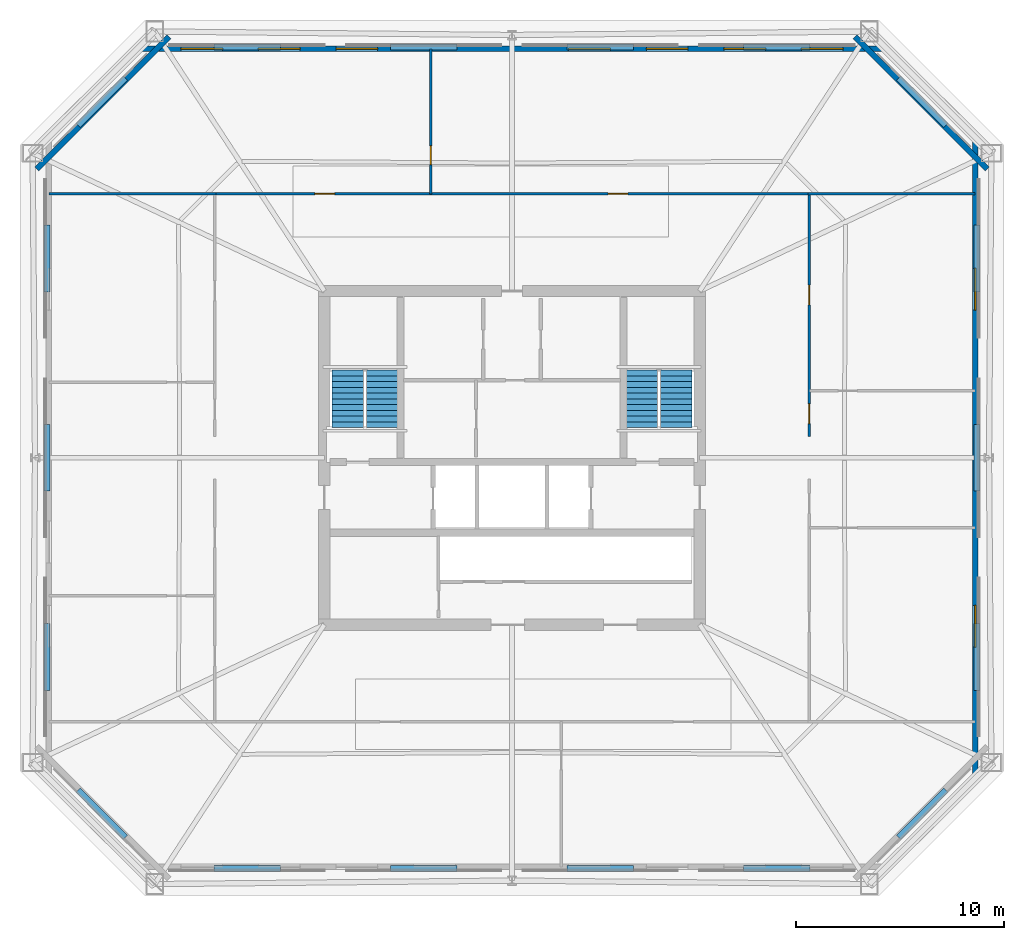
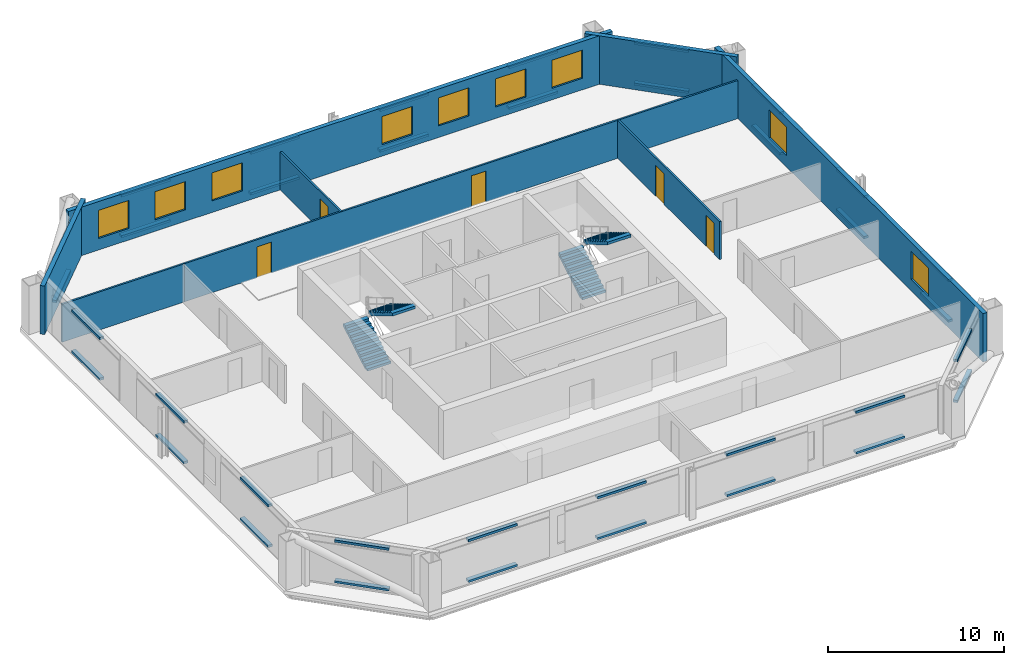
# One storey, part 4 of 6: 36 discrete accessories, 9 walls, 9 windows, 5 doors, 4 stair flights, 14 openings, 2 elements without a shape of their own.
"""IFC4 building model written with IfcOpenShell, lengths in metres."""

import ifcopenshell
import ifcopenshell.guid

model = None  # the IFC model being written
_history = None  # IfcOwnerHistory: only IFC2X3 demands one
_inside = {}  # id of a spatial element -> (the spatial element, [elements in it])
_under = {}  # id of a project, library or spatial element -> (it, [spatial elements below it])
_declared = {}  # id of a project -> (the project, [libraries it declares])
_typed = {}  # id of a type object -> (the type object, [elements of that type])
_made_of = {}  # id of a material, layer set ... -> (it, [elements and type objects made of it])


def new_model(schema):
    """Start an empty IFC model of exactly this schema.

    Asked for "IFC4X3", IfcOpenShell would pick the latest addendum, in which some entities
    have other attributes; the version numbers below select the first issue.
    IFC2X3 requires an IfcOwnerHistory on every rooted entity: one is made here for all.
    """
    global model, _history
    if schema == "IFC4X3":
        model = ifcopenshell.file(schema_version=(4, 3, 0, 0))
    else:
        model = ifcopenshell.file(schema=schema)
    _inside.clear()
    _under.clear()
    _declared.clear()
    _typed.clear()
    _made_of.clear()
    _history = None
    if model.schema == "IFC2X3":
        org = make("IfcOrganization", Name="unknown")
        user = make(
            "IfcPersonAndOrganization",
            ThePerson=make("IfcPerson", FamilyName="unknown"),
            TheOrganization=org,
        )
        app = make(
            "IfcApplication",
            ApplicationDeveloper=org,
            Version="unknown",
            ApplicationFullName="unknown",
            ApplicationIdentifier="unknown",
        )
        _history = make(
            "IfcOwnerHistory",
            OwningUser=user,
            OwningApplication=app,
            ChangeAction="ADDED",
            CreationDate=0,
        )
    return model


def make(cls, **values):
    """One entity of the class cls with the attributes given. An attribute that is None is left unset."""
    return model.create_entity(
        cls, **{name: value for name, value in values.items() if value is not None}
    )


def rooted(cls, **values):
    """An entity with a GlobalId (a new one), such as an element, a storey or a relation."""
    return make(cls, GlobalId=ifcopenshell.guid.new(), OwnerHistory=_history, **values)


def si_unit(unit_type, name, prefix=None):
    """IfcSIUnit, for example si_unit("LENGTHUNIT", "METRE", prefix="MILLI")."""
    return make("IfcSIUnit", UnitType=unit_type, Prefix=prefix, Name=name)


def assignment(units):
    """IfcUnitAssignment: the units of a project."""
    return None if units is None else make("IfcUnitAssignment", Units=units)


def point(xyz):
    """IfcCartesianPoint."""
    return None if xyz is None else make("IfcCartesianPoint", Coordinates=xyz)


def direction(xyz):
    """IfcDirection."""
    return None if xyz is None else make("IfcDirection", DirectionRatios=xyz)


def frame(location, z_axis=None, x_axis=None):
    """IfcAxis2Placement3D, a coordinate frame: its origin and axes. An axis left out is left unset."""
    return make(
        "IfcAxis2Placement3D",
        Location=point(location),
        Axis=direction(z_axis),
        RefDirection=direction(x_axis),
    )


def frame_2d(location, x_axis=None):
    """IfcAxis2Placement2D, a coordinate frame in the plane: its origin and x axis."""
    return make(
        "IfcAxis2Placement2D", Location=point(location), RefDirection=direction(x_axis)
    )


def origin():
    """The frame at (0, 0, 0) with its axes left unset."""
    return frame((0.0, 0.0, 0.0))


def origin_2d():
    """The frame at (0, 0) in the plane with its x axis left unset."""
    return frame_2d((0.0, 0.0))


def place(relative_to, where):
    """IfcLocalPlacement: puts the frame where relative to a parent placement (None: the world)."""
    return make(
        "IfcLocalPlacement", PlacementRelTo=relative_to, RelativePlacement=where
    )


def context(
    kind, dimensions, precision=None, world=None, true_north=None, identifier=None
):
    """IfcGeometricRepresentationContext, for example the 3D "Model" context."""
    return make(
        "IfcGeometricRepresentationContext",
        ContextIdentifier=identifier,
        ContextType=kind,
        CoordinateSpaceDimension=dimensions,
        Precision=precision,
        WorldCoordinateSystem=world,
        TrueNorth=true_north,
    )


def subcontext(parent, identifier, kind, view, scale=None):
    """IfcGeometricRepresentationSubContext, for example "Body" below "Model"."""
    return make(
        "IfcGeometricRepresentationSubContext",
        ContextIdentifier=identifier,
        ContextType=kind,
        ParentContext=parent,
        TargetScale=scale,
        TargetView=view,
    )


def project(units=None, contexts=None):
    """IfcProject with its units and contexts."""
    return rooted(
        "IfcProject",
        Name="project",
        RepresentationContexts=contexts,
        UnitsInContext=assignment(units),
    )


def spatial(cls, under=None, at=None, **own):
    """A site, building, storey or space (cls), placed at a placement, below another one or the project."""
    s = rooted(cls, ObjectPlacement=at, **own)
    if under is not None:
        _under.setdefault(under.id(), (under, []))[1].append(s)
    return s


def polyline(points):
    """IfcPolyline through the points."""
    return make("IfcPolyline", Points=[point(p) for p in points])


def profile(cls, at=None, kind="AREA", **sizes):
    """A parametric profile (cls). Its sizes go by their IFC names, for example OverallWidth=200.0."""
    return make(cls, ProfileType=kind, Position=at, **sizes)


def rectangle(**sizes):
    """IfcRectangleProfileDef."""
    return profile("IfcRectangleProfileDef", **sizes)


def outline(outer, holes=None, kind="AREA"):
    """IfcArbitraryClosedProfileDef: a profile drawn as a closed curve; with holes, ...WithVoids."""
    if holes is None:
        return make("IfcArbitraryClosedProfileDef", ProfileType=kind, OuterCurve=outer)
    return make(
        "IfcArbitraryProfileDefWithVoids",
        ProfileType=kind,
        OuterCurve=outer,
        InnerCurves=holes,
    )


def extrude(swept, where, along, depth):
    """IfcExtrudedAreaSolid: the profile swept, set in the frame where, extruded along a direction by depth."""
    return make(
        "IfcExtrudedAreaSolid",
        SweptArea=swept,
        Position=where,
        ExtrudedDirection=direction(along),
        Depth=depth,
    )


def shape(context_of_items, identifier, shape_type, items):
    """IfcShapeRepresentation: the items that make up one representation, for example the "Body"."""
    return make(
        "IfcShapeRepresentation",
        ContextOfItems=context_of_items,
        RepresentationIdentifier=identifier,
        RepresentationType=shape_type,
        Items=items,
    )


def material(Name=None, Category=None):
    """IfcMaterial."""
    return make("IfcMaterial", Name=Name, Category=Category)


def layer(
    of_material, thickness, ventilated=None, Name=None, Category=None, Priority=None
):
    """IfcMaterialLayer: one layer of a wall or slab, of a material (None: an air gap)."""
    return make(
        "IfcMaterialLayer",
        Material=of_material,
        LayerThickness=thickness,
        IsVentilated=ventilated,
        Name=Name,
        Category=Category,
        Priority=Priority,
    )


def layer_set(layers, Name=None):
    """IfcMaterialLayerSet."""
    return make("IfcMaterialLayerSet", MaterialLayers=layers, LayerSetName=Name)


def made_of(thing, what):
    """Note that an element or type object is made of a material, layer set ...; save() writes the relation."""
    if what is not None:
        _made_of.setdefault(what.id(), (what, []))[1].append(thing)
    return thing


def type_object(cls, material=None, **own):
    """A type object (cls), such as IfcWallType, which elements share."""
    return made_of(rooted(cls, **own), material)


def element(
    cls,
    number,
    at=None,
    inside=None,
    cuts=None,
    type_object=None,
    material=None,
    context=None,
    identifier="Body",
    shape_type=None,
    held_by="IfcProductDefinitionShape",
    body=None,
    shapes=None,
    **own,
):
    """One element of the class cls, such as IfcWall. Its Tag is "e" and its number.

    at: its placement. inside: the storey or other place that contains it. cuts: it is an
    opening in that element (IfcRelVoidsElement). A single representation is given by context,
    identifier, shape_type and body (its items); several are given by shapes. held_by: the class
    of the entity that holds the representations. save() writes the other relations.
    """
    e = rooted(cls, Tag="e%d" % number, ObjectPlacement=at, **own)
    if body is not None:
        shapes = [shape(context, identifier, shape_type, body)]
    if shapes is not None:
        e.Representation = make(held_by, Representations=shapes)
    if inside is not None:
        _inside.setdefault(inside.id(), (inside, []))[1].append(e)
    if cuts is not None:
        rooted(
            "IfcRelVoidsElement", RelatingBuildingElement=cuts, RelatedOpeningElement=e
        )
    if type_object is not None:
        _typed.setdefault(type_object.id(), (type_object, []))[1].append(e)
    return made_of(e, material)


def fill(opening, filler):
    """IfcRelFillsElement: the door or window that sits in an opening."""
    return rooted(
        "IfcRelFillsElement",
        RelatingOpeningElement=opening,
        RelatedBuildingElement=filler,
    )


def aggregate(whole, parts):
    """IfcRelAggregates: a whole, such as a stair, and the parts it consists of."""
    return rooted("IfcRelAggregates", RelatingObject=whole, RelatedObjects=parts)


def save(model, path):
    """Write the relations noted so far, then the file.

    IfcRelAggregates (storeys below a building ...), IfcRelContainedInSpatialStructure (elements
    in a storey), IfcRelDefinesByType, IfcRelAssociatesMaterial and IfcRelDeclares: one each for
    every whole, place, type object, material and project.
    """
    for whole, parts in _under.values():
        aggregate(whole, parts)
    for where, things in _inside.values():
        rooted(
            "IfcRelContainedInSpatialStructure",
            RelatedElements=things,
            RelatingStructure=where,
        )
    for kind, things in _typed.values():
        rooted("IfcRelDefinesByType", RelatedObjects=things, RelatingType=kind)
    for what, things in _made_of.values():
        rooted("IfcRelAssociatesMaterial", RelatedObjects=things, RelatingMaterial=what)
    for by, libraries in _declared.values():
        rooted("IfcRelDeclares", RelatingContext=by, RelatedDefinitions=libraries)
    model.write(path)


model = new_model("IFC4")

# Units and contexts
model_context = context("Model", 3, precision=1e-05, world=origin(), true_north=direction((0.0, 1.0)))
body_context = subcontext(model_context, "Body", "Model", "MODEL_VIEW")
ifc_project = project(units=[si_unit("LENGTHUNIT", "METRE"), si_unit("AREAUNIT", "SQUARE_METRE"), si_unit("VOLUMEUNIT", "CUBIC_METRE"), si_unit("PLANEANGLEUNIT", "RADIAN"), si_unit("MASSUNIT", "GRAM", prefix="KILO")], contexts=[model_context])

# Site, building, storey
site_placement = place(None, origin())
site = spatial("IfcSite", under=ifc_project, at=site_placement, CompositionType="ELEMENT")
building_placement = place(site_placement, origin())
building = spatial("IfcBuilding", under=site, at=building_placement, Name="Caelvoria Tower", CompositionType="ELEMENT")
storey_placement = place(building_placement, frame((0.0, 0.0, 120.39990234375)))
storey = spatial("IfcBuildingStorey", under=building, at=storey_placement, Name="L31", CompositionType="ELEMENT", Elevation=120.39990234375)

# Wall, openings, windows
ifc_material_1 = material(Name="Precast Concrete C40/50 with Bronze Cladding", Category="concrete")
ifc_layer_1 = layer(ifc_material_1, 0.280029296875, Name="Precast Concrete C40/50 with Bronze Cladding")
ifc_layer_set_1 = layer_set([ifc_layer_1], Name="Exterior Precast Concrete C40/50 Bronze-Clad Facade Wall 280 - Precast Concrete C40/50 with Bronze Cladding")
wall_type_1 = type_object("IfcWallType", Name="Exterior Precast Concrete C40/50 Bronze-Clad Facade Wall 280", PredefinedType="STANDARD", material=ifc_layer_set_1)
wall_1_placement = place(storey_placement, frame((68.219970703125, 16.760009765625, 0.0), z_axis=(0.0, 0.0, 1.0), x_axis=(0.0, 1.0, 0.0)))
wall_1 = element("IfcWall", 1, at=wall_1_placement, inside=storey, type_object=wall_type_1, Name="Exterior Facade Wall L31-E2", PredefinedType="STANDARD", context=body_context, shape_type="SweptSolid", body=[
    extrude(rectangle(XDim=30.47998046875, YDim=0.280029296875, at=frame_2d((15.239990234375, 0.0))), origin(), (0.0, 0.0, 1.0), 3.360107421875),
])
opening_1_placement = place(wall_1_placement, frame((6.159912109375, 0.0, 0.800048828125)))
opening_1 = element("IfcOpeningElement", 2, at=opening_1_placement, cuts=wall_1, Name="Opening WN-01", PredefinedType="OPENING", context=body_context, shape_type="SweptSolid", body=[
    extrude(rectangle(XDim=2.0, YDim=1.949951171875, at=frame_2d((1.0, 0.97509765625))), frame((0.0, 0.14990234375, 0.0), z_axis=(0.0, -1.0, 0.0), x_axis=(1.0, 0.0, 0.0)), (0.0, 0.0, 1.0), 0.300048828125),
])
opening_2_placement = place(wall_1_placement, frame((22.320068359375, 0.0, 0.800048828125)))
opening_2 = element("IfcOpeningElement", 3, at=opening_2_placement, cuts=wall_1, Name="Opening WN-01", PredefinedType="OPENING", context=body_context, shape_type="SweptSolid", body=[
    extrude(rectangle(XDim=2.0, YDim=1.949951171875, at=frame_2d((1.0, 0.97509765625))), frame((0.0, 0.14990234375, 0.0), z_axis=(0.0, -1.0, 0.0), x_axis=(1.0, 0.0, 0.0)), (0.0, 0.0, 1.0), 0.300048828125),
])
ifc_material_2 = material(Name="Low-E Tinted Glass in Bronze Aluminium Frame", Category="aluminium")
window_type = type_object("IfcWindowType", Name="Tower Office Vision Window 2000x1950", PartitioningType="SINGLE_PANEL", PredefinedType="WINDOW", material=ifc_material_2)
window_1_placement = place(opening_1_placement, origin())
window_1 = element("IfcWindow", 4, at=window_1_placement, inside=storey, type_object=window_type, Name="Facade Window L31-E2-01", OverallHeight=1.949951171875, OverallWidth=2.0, PartitioningType="SINGLE_PANEL", PredefinedType="WINDOW", context=body_context, shape_type="SweptSolid", body=[
    extrude(rectangle(XDim=2.0, YDim=1.949951171875, at=frame_2d((1.0, 0.97509765625))), frame((0.0, 0.030029296875, 0.0), z_axis=(0.0, -1.0, 0.0), x_axis=(1.0, 0.0, 0.0)), (0.0, 0.0, 1.0), 0.06005859375),
])
fill(opening_1, window_1)
window_2_placement = place(opening_2_placement, origin())
window_2 = element("IfcWindow", 5, at=window_2_placement, inside=storey, type_object=window_type, Name="Facade Window L31-E2-05", OverallHeight=1.949951171875, OverallWidth=2.0, PartitioningType="SINGLE_PANEL", PredefinedType="WINDOW", context=body_context, shape_type="SweptSolid", body=[
    extrude(rectangle(XDim=2.0, YDim=1.949951171875, at=frame_2d((1.0, 0.97509765625))), frame((0.0, 0.030029296875, 0.0), z_axis=(0.0, -1.0, 0.0), x_axis=(1.0, 0.0, 0.0)), (0.0, 0.0, 1.0), 0.06005859375),
])
fill(opening_2, window_2)

# Wall
wall_2_placement = place(storey_placement, frame((68.7939453125, 45.8544921875, 0.0), z_axis=(0.0, 0.0, 1.0), x_axis=(-0.707106781187, 0.707106781187, 0.0)))
element("IfcWall", 6, at=wall_2_placement, inside=storey, type_object=wall_type_1, Name="Exterior Facade Wall L31-E3", PredefinedType="STANDARD", context=body_context, shape_type="SweptSolid", body=[
    extrude(rectangle(XDim=8.965087890625, YDim=0.280029296875, at=frame_2d((4.482421875, 0.0))), origin(), (0.0, 0.0, 1.0), 3.360107421875),
])

# Wall, openings, windows
wall_3_placement = place(storey_placement, frame((63.840087890625, 51.6201171875, 0.0), z_axis=(0.0, 0.0, 1.0), x_axis=(-1.0, 0.0, 0.0)))
wall_3 = element("IfcWall", 7, at=wall_3_placement, inside=storey, type_object=wall_type_1, Name="Exterior Facade Wall L31-E4", PredefinedType="STANDARD", context=body_context, shape_type="SweptSolid", body=[
    extrude(rectangle(XDim=35.68017578125, YDim=0.280029296875, at=frame_2d((17.840087890625, 0.0))), origin(), (0.0, 0.0, 1.0), 3.360107421875),
])
opening_3_placement = place(wall_3_placement, frame((1.9599609375, 0.0, 0.800048828125)))
opening_3 = element("IfcOpeningElement", 8, at=opening_3_placement, cuts=wall_3, Name="Opening WN-01", PredefinedType="OPENING", context=body_context, shape_type="SweptSolid", body=[
    extrude(rectangle(XDim=2.0, YDim=1.949951171875, at=frame_2d((1.0, 0.97509765625))), frame((0.0, 0.14990234375, 0.0), z_axis=(0.0, -1.0, 0.0), x_axis=(1.0, 0.0, 0.0)), (0.0, 0.0, 1.0), 0.300048828125),
])
opening_4_placement = place(wall_3_placement, frame((5.679931640625, 0.0, 0.800048828125)))
opening_4 = element("IfcOpeningElement", 9, at=opening_4_placement, cuts=wall_3, Name="Opening WN-01", PredefinedType="OPENING", context=body_context, shape_type="SweptSolid", body=[
    extrude(rectangle(XDim=2.0, YDim=1.949951171875, at=frame_2d((1.0, 0.97509765625))), frame((0.0, 0.14990234375, 0.0), z_axis=(0.0, -1.0, 0.0), x_axis=(1.0, 0.0, 0.0)), (0.0, 0.0, 1.0), 0.300048828125),
])
opening_5_placement = place(wall_3_placement, frame((9.39990234375, 0.0, 0.800048828125)))
opening_5 = element("IfcOpeningElement", 10, at=opening_5_placement, cuts=wall_3, Name="Opening WN-01", PredefinedType="OPENING", context=body_context, shape_type="SweptSolid", body=[
    extrude(rectangle(XDim=2.0, YDim=1.949951171875, at=frame_2d((1.0, 0.97509765625))), frame((0.0, 0.14990234375, 0.0), z_axis=(0.0, -1.0, 0.0), x_axis=(1.0, 0.0, 0.0)), (0.0, 0.0, 1.0), 0.300048828125),
])
opening_6_placement = place(wall_3_placement, frame((13.1201171875, 0.0, 0.800048828125)))
opening_6 = element("IfcOpeningElement", 11, at=opening_6_placement, cuts=wall_3, Name="Opening WN-01", PredefinedType="OPENING", context=body_context, shape_type="SweptSolid", body=[
    extrude(rectangle(XDim=2.0, YDim=1.949951171875, at=frame_2d((1.0, 0.97509765625))), frame((0.0, 0.14990234375, 0.0), z_axis=(0.0, -1.0, 0.0), x_axis=(1.0, 0.0, 0.0)), (0.0, 0.0, 1.0), 0.300048828125),
])
opening_7_placement = place(wall_3_placement, frame((24.280029296875, 0.0, 0.800048828125)))
opening_7 = element("IfcOpeningElement", 12, at=opening_7_placement, cuts=wall_3, Name="Opening WN-01", PredefinedType="OPENING", context=body_context, shape_type="SweptSolid", body=[
    extrude(rectangle(XDim=2.0, YDim=1.949951171875, at=frame_2d((1.0, 0.97509765625))), frame((0.0, 0.14990234375, 0.0), z_axis=(0.0, -1.0, 0.0), x_axis=(1.0, 0.0, 0.0)), (0.0, 0.0, 1.0), 0.300048828125),
])
opening_8_placement = place(wall_3_placement, frame((28.0, 0.0, 0.800048828125)))
opening_8 = element("IfcOpeningElement", 13, at=opening_8_placement, cuts=wall_3, Name="Opening WN-01", PredefinedType="OPENING", context=body_context, shape_type="SweptSolid", body=[
    extrude(rectangle(XDim=2.0, YDim=1.949951171875, at=frame_2d((1.0, 0.97509765625))), frame((0.0, 0.14990234375, 0.0), z_axis=(0.0, -1.0, 0.0), x_axis=(1.0, 0.0, 0.0)), (0.0, 0.0, 1.0), 0.300048828125),
])
opening_9_placement = place(wall_3_placement, frame((31.719970703125, 0.0, 0.800048828125)))
opening_9 = element("IfcOpeningElement", 14, at=opening_9_placement, cuts=wall_3, Name="Opening WN-01", PredefinedType="OPENING", context=body_context, shape_type="SweptSolid", body=[
    extrude(rectangle(XDim=2.0, YDim=1.949951171875, at=frame_2d((1.0, 0.97509765625))), frame((0.0, 0.14990234375, 0.0), z_axis=(0.0, -1.0, 0.0), x_axis=(1.0, 0.0, 0.0)), (0.0, 0.0, 1.0), 0.300048828125),
])
window_3_placement = place(opening_3_placement, origin())
window_3 = element("IfcWindow", 15, at=window_3_placement, inside=storey, type_object=window_type, Name="Facade Window L31-E4-00", OverallHeight=1.949951171875, OverallWidth=2.0, PartitioningType="SINGLE_PANEL", PredefinedType="WINDOW", context=body_context, shape_type="SweptSolid", body=[
    extrude(rectangle(XDim=2.0, YDim=1.949951171875, at=frame_2d((1.0, 0.97509765625))), frame((0.0, 0.030029296875, 0.0), z_axis=(0.0, -1.0, 0.0), x_axis=(1.0, 0.0, 0.0)), (0.0, 0.0, 1.0), 0.06005859375),
])
fill(opening_3, window_3)
window_4_placement = place(opening_4_placement, origin())
window_4 = element("IfcWindow", 16, at=window_4_placement, inside=storey, type_object=window_type, Name="Facade Window L31-E4-01", OverallHeight=1.949951171875, OverallWidth=2.0, PartitioningType="SINGLE_PANEL", PredefinedType="WINDOW", context=body_context, shape_type="SweptSolid", body=[
    extrude(rectangle(XDim=2.0, YDim=1.949951171875, at=frame_2d((1.0, 0.97509765625))), frame((0.0, 0.030029296875, 0.0), z_axis=(0.0, -1.0, 0.0), x_axis=(1.0, 0.0, 0.0)), (0.0, 0.0, 1.0), 0.06005859375),
])
fill(opening_4, window_4)
window_5_placement = place(opening_5_placement, origin())
window_5 = element("IfcWindow", 17, at=window_5_placement, inside=storey, type_object=window_type, Name="Facade Window L31-E4-02", OverallHeight=1.949951171875, OverallWidth=2.0, PartitioningType="SINGLE_PANEL", PredefinedType="WINDOW", context=body_context, shape_type="SweptSolid", body=[
    extrude(rectangle(XDim=2.0, YDim=1.949951171875, at=frame_2d((1.0, 0.97509765625))), frame((0.0, 0.030029296875, 0.0), z_axis=(0.0, -1.0, 0.0), x_axis=(1.0, 0.0, 0.0)), (0.0, 0.0, 1.0), 0.06005859375),
])
fill(opening_5, window_5)
window_6_placement = place(opening_6_placement, origin())
window_6 = element("IfcWindow", 18, at=window_6_placement, inside=storey, type_object=window_type, Name="Facade Window L31-E4-03", OverallHeight=1.949951171875, OverallWidth=2.0, PartitioningType="SINGLE_PANEL", PredefinedType="WINDOW", context=body_context, shape_type="SweptSolid", body=[
    extrude(rectangle(XDim=2.0, YDim=1.949951171875, at=frame_2d((1.0, 0.97509765625))), frame((0.0, 0.030029296875, 0.0), z_axis=(0.0, -1.0, 0.0), x_axis=(1.0, 0.0, 0.0)), (0.0, 0.0, 1.0), 0.06005859375),
])
fill(opening_6, window_6)
window_7_placement = place(opening_7_placement, origin())
window_7 = element("IfcWindow", 19, at=window_7_placement, inside=storey, type_object=window_type, Name="Facade Window L31-E4-06", OverallHeight=1.949951171875, OverallWidth=2.0, PartitioningType="SINGLE_PANEL", PredefinedType="WINDOW", context=body_context, shape_type="SweptSolid", body=[
    extrude(rectangle(XDim=2.0, YDim=1.949951171875, at=frame_2d((1.0, 0.97509765625))), frame((0.0, 0.030029296875, 0.0), z_axis=(0.0, -1.0, 0.0), x_axis=(1.0, 0.0, 0.0)), (0.0, 0.0, 1.0), 0.06005859375),
])
fill(opening_7, window_7)
window_8_placement = place(opening_8_placement, origin())
window_8 = element("IfcWindow", 20, at=window_8_placement, inside=storey, type_object=window_type, Name="Facade Window L31-E4-07", OverallHeight=1.949951171875, OverallWidth=2.0, PartitioningType="SINGLE_PANEL", PredefinedType="WINDOW", context=body_context, shape_type="SweptSolid", body=[
    extrude(rectangle(XDim=2.0, YDim=1.949951171875, at=frame_2d((1.0, 0.97509765625))), frame((0.0, 0.030029296875, 0.0), z_axis=(0.0, -1.0, 0.0), x_axis=(1.0, 0.0, 0.0)), (0.0, 0.0, 1.0), 0.06005859375),
])
fill(opening_8, window_8)
window_9_placement = place(opening_9_placement, origin())
window_9 = element("IfcWindow", 21, at=window_9_placement, inside=storey, type_object=window_type, Name="Facade Window L31-E4-08", OverallHeight=1.949951171875, OverallWidth=2.0, PartitioningType="SINGLE_PANEL", PredefinedType="WINDOW", context=body_context, shape_type="SweptSolid", body=[
    extrude(rectangle(XDim=2.0, YDim=1.949951171875, at=frame_2d((1.0, 0.97509765625))), frame((0.0, 0.030029296875, 0.0), z_axis=(0.0, -1.0, 0.0), x_axis=(1.0, 0.0, 0.0)), (0.0, 0.0, 1.0), 0.06005859375),
])
fill(opening_9, window_9)

# Wall
wall_4_placement = place(storey_placement, frame((29.54541015625, 52.19384765625, 0.0), z_axis=(0.0, 0.0, 1.0), x_axis=(-0.707106781187, -0.707106781187, 0.0)))
element("IfcWall", 22, at=wall_4_placement, inside=storey, type_object=wall_type_1, Name="Exterior Facade Wall L31-E5", PredefinedType="STANDARD", context=body_context, shape_type="SweptSolid", body=[
    extrude(rectangle(XDim=8.965087890625, YDim=0.280029296875, at=frame_2d((4.482421875, 0.0))), origin(), (0.0, 0.0, 1.0), 3.360107421875),
])

# Wall, opening, door
ifc_material_3 = material(Name="Acoustic Gypsum Board on Light-Gauge Stud", Category="gypsum")
ifc_layer_2 = layer(ifc_material_3, 0.1201171875, Name="Acoustic Gypsum Board on Light-Gauge Stud")
ifc_layer_set_2 = layer_set([ifc_layer_2], Name="Tenant Suite Acoustic Partition Wall 120 - Acoustic Gypsum Board on Light-Gauge Stud")
wall_type_2 = type_object("IfcWallType", Name="Tenant Suite Acoustic Partition Wall 120", PredefinedType="PARTITIONING", material=ifc_layer_set_2)
wall_5_placement = place(storey_placement, frame((42.103515625, 44.659912109375, 0.0), z_axis=(0.0, 0.0, 1.0), x_axis=(0.0, 1.0, 0.0)))
wall_5 = element("IfcWall", 23, at=wall_5_placement, inside=storey, type_object=wall_type_2, Name="Interior Partition IW-L31-ND-00-0", PredefinedType="PARTITIONING", context=body_context, shape_type="SweptSolid", body=[
    extrude(rectangle(XDim=6.960205078125, YDim=0.1201171875, at=frame_2d((3.47998046875, 0.0))), origin(), (0.0, 0.0, 1.0), 2.64013671875),
])
opening_10_placement = place(wall_5_placement, frame((1.39990234375, 0.0, 0.0)))
opening_10 = element("IfcOpeningElement", 24, at=opening_10_placement, cuts=wall_5, Name="Opening ID-06", PredefinedType="OPENING", context=body_context, shape_type="SweptSolid", body=[
    extrude(rectangle(XDim=0.89990234375, YDim=2.14990234375, at=frame_2d((0.449951171875, 1.074951171875))), frame((0.0, 0.070068359375, 0.0), z_axis=(0.0, -1.0, 0.0), x_axis=(1.0, 0.0, 0.0)), (0.0, 0.0, 1.0), 0.14013671875),
])
ifc_material_4 = material(Name="Engineered Andean Oak Veneer Door", Category="wood")
door_type_1 = type_object("IfcDoorType", Name="Interior Timber Door 900x2150", OperationType="NOTDEFINED", PredefinedType="DOOR", material=ifc_material_4)
door_1_placement = place(opening_10_placement, origin())
door_1 = element("IfcDoor", 25, at=door_1_placement, inside=storey, type_object=door_type_1, Name="Interior Door DR-L31-NM-00-0", OperationType="SINGLE_SWING_RIGHT", OverallHeight=2.14990234375, OverallWidth=0.89990234375, PredefinedType="DOOR", context=body_context, shape_type="SweptSolid", body=[
    extrude(rectangle(XDim=0.89990234375, YDim=2.14990234375, at=frame_2d((0.449951171875, 1.074951171875))), frame((0.0, 0.02490234375, 0.0), z_axis=(0.0, -1.0, 0.0), x_axis=(1.0, 0.0, 0.0)), (0.0, 0.0, 1.0), 0.050048828125),
])
fill(opening_10, door_1)

# Wall, openings, doors
wall_6_placement = place(storey_placement, frame((31.800048828125, 44.659912109375, 0.0), z_axis=(0.0, 0.0, 1.0), x_axis=(1.0, 0.0, 0.0)))
wall_6 = element("IfcWall", 26, at=wall_6_placement, inside=storey, type_object=wall_type_2, Name="Interior Partition IW-L31-NCW-0", PredefinedType="PARTITIONING", context=body_context, shape_type="SweptSolid", body=[
    extrude(rectangle(XDim=28.39990234375, YDim=0.1201171875, at=frame_2d((14.199951171875, 0.0))), origin(), (0.0, 0.0, 1.0), 2.64013671875),
])
opening_11_placement = place(wall_6_placement, frame((4.74658203125, 0.0, 0.0)))
opening_11 = element("IfcOpeningElement", 27, at=opening_11_placement, cuts=wall_6, Name="Opening ID-05", PredefinedType="OPENING", context=body_context, shape_type="SweptSolid", body=[
    extrude(rectangle(XDim=0.949951171875, YDim=2.14990234375, at=frame_2d((0.47509765625, 1.074951171875))), frame((0.0, 0.070068359375, 0.0), z_axis=(0.0, -1.0, 0.0), x_axis=(1.0, 0.0, 0.0)), (0.0, 0.0, 1.0), 0.14013671875),
])
opening_12_placement = place(wall_6_placement, frame((18.806640625, 0.0, 0.0)))
opening_12 = element("IfcOpeningElement", 28, at=opening_12_placement, cuts=wall_6, Name="Opening ID-05", PredefinedType="OPENING", context=body_context, shape_type="SweptSolid", body=[
    extrude(rectangle(XDim=0.949951171875, YDim=2.14990234375, at=frame_2d((0.47509765625, 1.074951171875))), frame((0.0, 0.070068359375, 0.0), z_axis=(0.0, -1.0, 0.0), x_axis=(1.0, 0.0, 0.0)), (0.0, 0.0, 1.0), 0.14013671875),
])
door_type_2 = type_object("IfcDoorType", Name="Interior Timber Door 950x2150", OperationType="NOTDEFINED", PredefinedType="DOOR", material=ifc_material_4)
door_2_placement = place(opening_11_placement, origin())
door_2 = element("IfcDoor", 29, at=door_2_placement, inside=storey, type_object=door_type_2, Name="Interior Door DR-L31-NC-00-0", OperationType="SINGLE_SWING_RIGHT", OverallHeight=2.14990234375, OverallWidth=0.949951171875, PredefinedType="DOOR", context=body_context, shape_type="SweptSolid", body=[
    extrude(rectangle(XDim=0.949951171875, YDim=2.14990234375, at=frame_2d((0.47509765625, 1.074951171875))), frame((0.0, 0.02490234375, 0.0), z_axis=(0.0, -1.0, 0.0), x_axis=(1.0, 0.0, 0.0)), (0.0, 0.0, 1.0), 0.050048828125),
])
fill(opening_11, door_2)
door_3_placement = place(opening_12_placement, origin())
door_3 = element("IfcDoor", 30, at=door_3_placement, inside=storey, type_object=door_type_2, Name="Interior Door DR-L31-NC-01-0", OperationType="SINGLE_SWING_LEFT", OverallHeight=2.14990234375, OverallWidth=0.949951171875, PredefinedType="DOOR", context=body_context, shape_type="SweptSolid", body=[
    extrude(rectangle(XDim=0.949951171875, YDim=2.14990234375, at=frame_2d((0.47509765625, 1.074951171875))), frame((0.0, 0.02490234375, 0.0), z_axis=(0.0, -1.0, 0.0), x_axis=(1.0, 0.0, 0.0)), (0.0, 0.0, 1.0), 0.050048828125),
])
fill(opening_12, door_3)

wall_7_placement = place(storey_placement, frame((60.260009765625, 33.02001953125, 0.0), z_axis=(0.0, 0.0, 1.0), x_axis=(0.0, 1.0, 0.0)))
wall_7 = element("IfcWall", 31, at=wall_7_placement, inside=storey, type_object=wall_type_2, Name="Interior Partition IW-L31-ECW-1", PredefinedType="PARTITIONING", context=body_context, shape_type="SweptSolid", body=[
    extrude(rectangle(XDim=11.580078125, YDim=0.1201171875, at=frame_2d((5.7900390625, 0.0))), origin(), (0.0, 0.0, 1.0), 2.64013671875),
])
opening_13_placement = place(wall_7_placement, frame((0.619873046875, 0.0, 0.0)))
opening_13 = element("IfcOpeningElement", 32, at=opening_13_placement, cuts=wall_7, Name="Opening ID-05", PredefinedType="OPENING", context=body_context, shape_type="SweptSolid", body=[
    extrude(rectangle(XDim=0.949951171875, YDim=2.14990234375, at=frame_2d((0.47509765625, 1.074951171875))), frame((0.0, 0.070068359375, 0.0), z_axis=(0.0, -1.0, 0.0), x_axis=(1.0, 0.0, 0.0)), (0.0, 0.0, 1.0), 0.14013671875),
])
opening_14_placement = place(wall_7_placement, frame((6.309814453125, 0.0, 0.0)))
opening_14 = element("IfcOpeningElement", 33, at=opening_14_placement, cuts=wall_7, Name="Opening ID-05", PredefinedType="OPENING", context=body_context, shape_type="SweptSolid", body=[
    extrude(rectangle(XDim=0.949951171875, YDim=2.14990234375, at=frame_2d((0.47509765625, 1.074951171875))), frame((0.0, 0.070068359375, 0.0), z_axis=(0.0, -1.0, 0.0), x_axis=(1.0, 0.0, 0.0)), (0.0, 0.0, 1.0), 0.14013671875),
])
door_4_placement = place(opening_13_placement, origin())
door_4 = element("IfcDoor", 34, at=door_4_placement, inside=storey, type_object=door_type_2, Name="Interior Door DR-L31-EC-01-0", OperationType="SINGLE_SWING_LEFT", OverallHeight=2.14990234375, OverallWidth=0.949951171875, PredefinedType="DOOR", context=body_context, shape_type="SweptSolid", body=[
    extrude(rectangle(XDim=0.949951171875, YDim=2.14990234375, at=frame_2d((0.47509765625, 1.074951171875))), frame((0.0, 0.02490234375, 0.0), z_axis=(0.0, -1.0, 0.0), x_axis=(1.0, 0.0, 0.0)), (0.0, 0.0, 1.0), 0.050048828125),
])
fill(opening_13, door_4)
door_5_placement = place(opening_14_placement, origin())
door_5 = element("IfcDoor", 35, at=door_5_placement, inside=storey, type_object=door_type_2, Name="Interior Door DR-L31-EC-02-0", OperationType="SINGLE_SWING_RIGHT", OverallHeight=2.14990234375, OverallWidth=0.949951171875, PredefinedType="DOOR", context=body_context, shape_type="SweptSolid", body=[
    extrude(rectangle(XDim=0.949951171875, YDim=2.14990234375, at=frame_2d((0.47509765625, 1.074951171875))), frame((0.0, 0.02490234375, 0.0), z_axis=(0.0, -1.0, 0.0), x_axis=(1.0, 0.0, 0.0)), (0.0, 0.0, 1.0), 0.050048828125),
])
fill(opening_14, door_5)

# Walls
for number, where, z_axis, x_axis, name in (
    (36, (31.800048828125, 44.659912109375, 0.0), (0.0, 0.0, 1.0), (-1.0, 0.0, 0.0), "Interior Partition IW-L31-BNW-0"),
    (37, (60.199951171875, 44.659912109375, 0.0), (0.0, 0.0, 1.0), (1.0, 0.0, 0.0), "Interior Partition IW-L31-BNE-0"),
):
    element("IfcWall", number, at=place(storey_placement, frame(where, z_axis=z_axis, x_axis=x_axis)), inside=storey, type_object=wall_type_2, Name=name, PredefinedType="PARTITIONING", context=body_context, shape_type="SweptSolid", body=[
        extrude(rectangle(XDim=8.02001953125, YDim=0.1201171875, at=frame_2d((4.010009765625, 0.0))), origin(), (0.0, 0.0, 1.0), 2.64013671875),
    ])

# Stair, stair flights
ifc_material_5 = material(Name="Concrete C40/50", Category="concrete")
stair_type = type_object("IfcStairType", Name="Core Smokeproof Dogleg Stair Concrete C40/50", PredefinedType="HALF_TURN_STAIR", material=ifc_material_5)
stair_1_placement = place(storey_placement, origin())
stair_1 = element("IfcStair", 38, at=stair_1_placement, inside=storey, type_object=stair_type, Name="ST-01 Smokeproof Exit Stair L31", PredefinedType="HALF_TURN_STAIR")
ifc_material_6 = material(Name="Precast Concrete C40/50", Category="concrete")
stair_flight_type = type_object("IfcStairFlightType", Name="Precast Concrete C40/50 Stair Flight 1480", PredefinedType="STRAIGHT", material=ifc_material_6)
stair_flight_1_placement = place(storey_placement, frame((38.1298828125, 33.449951171875, 0.0), z_axis=(0.0, 0.0, 1.0), x_axis=(0.0, 1.0, 0.0)))
stair_flight_1 = element("IfcStairFlight", 39, at=stair_flight_1_placement, type_object=stair_flight_type, Name="ST-01 flight 1", NumberOfRisers=11, NumberOfTreads=10, PredefinedType="STRAIGHT", RiserHeight=0.1636, TreadLength=0.275, context=body_context, shape_type="SweptSolid", body=[
    extrude(outline(polyline([(0.0, 0.0), (0.0, 0.16357421875), (0.27490234375, 0.16357421875), (0.27490234375, 0.3271484375), (0.550048828125, 0.3271484375), (0.550048828125, 0.49072265625), (0.824951171875, 0.49072265625), (0.824951171875, 0.654296875), (1.10009765625, 0.654296875), (1.10009765625, 0.818115234375), (1.375, 0.818115234375), (1.375, 0.981689453125), (1.64990234375, 0.981689453125), (1.64990234375, 1.145263671875), (1.925048828125, 1.145263671875), (1.925048828125, 1.308837890625), (2.199951171875, 1.308837890625), (2.199951171875, 1.472412109375), (2.47509765625, 1.472412109375), (2.47509765625, 1.635986328125), (2.75, 1.635986328125), (2.75, 1.799560546875), (2.75, 1.449951171875), (0.312744140625, 0.0), (0.0, 0.0)])), frame((0.0, 0.77001953125, 0.0), z_axis=(0.0, -1.0, 0.0), x_axis=(1.0, 0.0, 0.0)), (0.0, 0.0, 1.0), 1.5400390625),
])
stair_flight_2_placement = place(storey_placement, frame((39.77001953125, 36.199951171875, 1.800048828125), z_axis=(0.0, 0.0, 1.0), x_axis=(0.0, -1.0, 0.0)))
stair_flight_2 = element("IfcStairFlight", 40, at=stair_flight_2_placement, type_object=stair_flight_type, Name="ST-01 flight 2", NumberOfRisers=11, NumberOfTreads=10, PredefinedType="STRAIGHT", RiserHeight=0.1636, TreadLength=0.275, context=body_context, shape_type="SweptSolid", body=[
    extrude(outline(polyline([(0.0, 0.0), (0.0, 0.16357421875), (0.27490234375, 0.16357421875), (0.27490234375, 0.3271484375), (0.550048828125, 0.3271484375), (0.550048828125, 0.49072265625), (0.824951171875, 0.49072265625), (0.824951171875, 0.654296875), (1.10009765625, 0.654296875), (1.10009765625, 0.818115234375), (1.375, 0.818115234375), (1.375, 0.981689453125), (1.64990234375, 0.981689453125), (1.64990234375, 1.145263671875), (1.925048828125, 1.145263671875), (1.925048828125, 1.308837890625), (2.199951171875, 1.308837890625), (2.199951171875, 1.472412109375), (2.47509765625, 1.472412109375), (2.47509765625, 1.635986328125), (2.75, 1.635986328125), (2.75, 1.799560546875), (2.75, 1.449951171875), (0.312744140625, 0.0), (0.0, 0.0)])), frame((0.0, 0.77001953125, 0.0), z_axis=(0.0, -1.0, 0.0), x_axis=(1.0, 0.0, 0.0)), (0.0, 0.0, 1.0), 1.5400390625),
])
aggregate(stair_1, [stair_flight_1, stair_flight_2])

stair_2_placement = place(storey_placement, origin())
stair_2 = element("IfcStair", 41, at=stair_2_placement, inside=storey, type_object=stair_type, Name="ST-02 Smokeproof Exit Stair L31", PredefinedType="HALF_TURN_STAIR")
stair_flight_3_placement = place(storey_placement, frame((52.22998046875, 33.449951171875, 0.0), z_axis=(0.0, 0.0, 1.0), x_axis=(0.0, 1.0, 0.0)))
stair_flight_3 = element("IfcStairFlight", 42, at=stair_flight_3_placement, type_object=stair_flight_type, Name="ST-02 flight 1", NumberOfRisers=11, NumberOfTreads=10, PredefinedType="STRAIGHT", RiserHeight=0.1636, TreadLength=0.275, context=body_context, shape_type="SweptSolid", body=[
    extrude(outline(polyline([(0.0, 0.0), (0.0, 0.16357421875), (0.27490234375, 0.16357421875), (0.27490234375, 0.3271484375), (0.550048828125, 0.3271484375), (0.550048828125, 0.49072265625), (0.824951171875, 0.49072265625), (0.824951171875, 0.654296875), (1.10009765625, 0.654296875), (1.10009765625, 0.818115234375), (1.375, 0.818115234375), (1.375, 0.981689453125), (1.64990234375, 0.981689453125), (1.64990234375, 1.145263671875), (1.925048828125, 1.145263671875), (1.925048828125, 1.308837890625), (2.199951171875, 1.308837890625), (2.199951171875, 1.472412109375), (2.47509765625, 1.472412109375), (2.47509765625, 1.635986328125), (2.75, 1.635986328125), (2.75, 1.799560546875), (2.75, 1.449951171875), (0.312744140625, 0.0), (0.0, 0.0)])), frame((0.0, 0.77001953125, 0.0), z_axis=(0.0, -1.0, 0.0), x_axis=(1.0, 0.0, 0.0)), (0.0, 0.0, 1.0), 1.5400390625),
])
stair_flight_4_placement = place(storey_placement, frame((53.8701171875, 36.199951171875, 1.800048828125), z_axis=(0.0, 0.0, 1.0), x_axis=(0.0, -1.0, 0.0)))
stair_flight_4 = element("IfcStairFlight", 43, at=stair_flight_4_placement, type_object=stair_flight_type, Name="ST-02 flight 2", NumberOfRisers=11, NumberOfTreads=10, PredefinedType="STRAIGHT", RiserHeight=0.1636, TreadLength=0.275, context=body_context, shape_type="SweptSolid", body=[
    extrude(outline(polyline([(0.0, 0.0), (0.0, 0.16357421875), (0.27490234375, 0.16357421875), (0.27490234375, 0.3271484375), (0.550048828125, 0.3271484375), (0.550048828125, 0.49072265625), (0.824951171875, 0.49072265625), (0.824951171875, 0.654296875), (1.10009765625, 0.654296875), (1.10009765625, 0.818115234375), (1.375, 0.818115234375), (1.375, 0.981689453125), (1.64990234375, 0.981689453125), (1.64990234375, 1.145263671875), (1.925048828125, 1.145263671875), (1.925048828125, 1.308837890625), (2.199951171875, 1.308837890625), (2.199951171875, 1.472412109375), (2.47509765625, 1.472412109375), (2.47509765625, 1.635986328125), (2.75, 1.635986328125), (2.75, 1.799560546875), (2.75, 1.449951171875), (0.312744140625, 0.0), (0.0, 0.0)])), frame((0.0, 0.77001953125, 0.0), z_axis=(0.0, -1.0, 0.0), x_axis=(1.0, 0.0, 0.0)), (0.0, 0.0, 1.0), 1.5400390625),
])
aggregate(stair_2, [stair_flight_3, stair_flight_4])

# Discrete accessories
ifc_material_7 = material(Name="Anodised Bronze Stainless Bracket", Category="bronze")
discrete_accessory_type = type_object("IfcDiscreteAccessoryType", Name="Solar Screen Outrigger Support Bracket", PredefinedType="BRACKET", material=ifc_material_7)
for number, where, z_axis, x_axis, name in (
    (44, (33.294921875, 12.302978515625, 0.240234375), (0.0, 0.0, 1.0), (1.0, 0.0, 0.0), "Solar Screen Bracket L31-E0-00"),
    (45, (33.294921875, 12.302978515625, 3.06005859375), (0.0, 0.0, 1.0), (1.0, 0.0, 0.0), "Upper Screen Band Bracket L31-E0-00"),
    (46, (41.764892578125, 12.302978515625, 0.240234375), (0.0, 0.0, 1.0), (1.0, 0.0, 0.0), "Solar Screen Bracket L31-E0-01"),
    (47, (41.764892578125, 12.302978515625, 3.06005859375), (0.0, 0.0, 1.0), (1.0, 0.0, 0.0), "Upper Screen Band Bracket L31-E0-01"),
    (48, (50.235107421875, 12.302978515625, 0.240234375), (0.0, 0.0, 1.0), (1.0, 0.0, 0.0), "Solar Screen Bracket L31-E0-02"),
    (49, (50.235107421875, 12.302978515625, 3.06005859375), (0.0, 0.0, 1.0), (1.0, 0.0, 0.0), "Upper Screen Band Bracket L31-E0-02"),
    (50, (58.705078125, 12.302978515625, 0.240234375), (0.0, 0.0, 1.0), (1.0, 0.0, 0.0), "Solar Screen Bracket L31-E0-03"),
    (51, (58.705078125, 12.302978515625, 3.06005859375), (0.0, 0.0, 1.0), (1.0, 0.0, 0.0), "Upper Screen Band Bracket L31-E0-03"),
    (52, (65.6787109375, 14.92138671875, 0.240234375), (0.0, 0.0, 1.0), (0.707106781187, 0.707106781187, 0.0), "Solar Screen Bracket L31-E1-00"),
    (53, (65.6787109375, 14.92138671875, 3.06005859375), (0.0, 0.0, 1.0), (0.707106781187, 0.707106781187, 0.0), "Upper Screen Band Bracket L31-E1-00"),
    (54, (68.297119140625, 22.43994140625, 0.240234375), (0.0, 0.0, 1.0), (0.0, 1.0, 0.0), "Solar Screen Bracket L31-E2-00"),
    (55, (68.297119140625, 22.43994140625, 3.06005859375), (0.0, 0.0, 1.0), (0.0, 1.0, 0.0), "Upper Screen Band Bracket L31-E2-00"),
    (56, (68.297119140625, 32.0, 0.240234375), (0.0, 0.0, 1.0), (0.0, 1.0, 0.0), "Solar Screen Bracket L31-E2-01"),
    (57, (68.297119140625, 32.0, 3.06005859375), (0.0, 0.0, 1.0), (0.0, 1.0, 0.0), "Upper Screen Band Bracket L31-E2-01"),
    (58, (68.297119140625, 41.56005859375, 0.240234375), (0.0, 0.0, 1.0), (0.0, 1.0, 0.0), "Solar Screen Bracket L31-E2-02"),
    (59, (68.297119140625, 41.56005859375, 3.06005859375), (0.0, 0.0, 1.0), (0.0, 1.0, 0.0), "Upper Screen Band Bracket L31-E2-02"),
    (60, (65.6787109375, 49.07861328125, 0.240234375), (0.0, 0.0, 1.0), (-0.707106781187, 0.707106781187, 0.0), "Solar Screen Bracket L31-E3-00"),
    (61, (65.6787109375, 49.07861328125, 3.06005859375), (0.0, 0.0, 1.0), (-0.707106781187, 0.707106781187, 0.0), "Upper Screen Band Bracket L31-E3-00"),
    (62, (58.705078125, 51.697021484375, 0.240234375), (0.0, 0.0, 1.0), (-1.0, 0.0, 0.0), "Solar Screen Bracket L31-E4-00"),
    (63, (58.705078125, 51.697021484375, 3.06005859375), (0.0, 0.0, 1.0), (-1.0, 0.0, 0.0), "Upper Screen Band Bracket L31-E4-00"),
    (64, (50.235107421875, 51.697021484375, 0.240234375), (0.0, 0.0, 1.0), (-1.0, 0.0, 0.0), "Solar Screen Bracket L31-E4-01"),
    (65, (50.235107421875, 51.697021484375, 3.06005859375), (0.0, 0.0, 1.0), (-1.0, 0.0, 0.0), "Upper Screen Band Bracket L31-E4-01"),
    (66, (41.764892578125, 51.697021484375, 0.240234375), (0.0, 0.0, 1.0), (-1.0, 0.0, 0.0), "Solar Screen Bracket L31-E4-02"),
    (67, (41.764892578125, 51.697021484375, 3.06005859375), (0.0, 0.0, 1.0), (-1.0, 0.0, 0.0), "Upper Screen Band Bracket L31-E4-02"),
    (68, (33.294921875, 51.697021484375, 0.240234375), (0.0, 0.0, 1.0), (-1.0, 0.0, 0.0), "Solar Screen Bracket L31-E4-03"),
    (69, (33.294921875, 51.697021484375, 3.06005859375), (0.0, 0.0, 1.0), (-1.0, 0.0, 0.0), "Upper Screen Band Bracket L31-E4-03"),
    (70, (26.3212890625, 49.07861328125, 0.240234375), (0.0, 0.0, 1.0), (-0.707106781187, -0.707106781187, 0.0), "Solar Screen Bracket L31-E5-00"),
    (71, (26.3212890625, 49.07861328125, 3.06005859375), (0.0, 0.0, 1.0), (-0.707106781187, -0.707106781187, 0.0), "Upper Screen Band Bracket L31-E5-00"),
    (72, (23.702880859375, 41.56005859375, 0.240234375), (0.0, 0.0, 1.0), (0.0, -1.0, 0.0), "Solar Screen Bracket L31-E6-00"),
    (73, (23.702880859375, 41.56005859375, 3.06005859375), (0.0, 0.0, 1.0), (0.0, -1.0, 0.0), "Upper Screen Band Bracket L31-E6-00"),
    (74, (23.702880859375, 32.0, 0.240234375), (0.0, 0.0, 1.0), (0.0, -1.0, 0.0), "Solar Screen Bracket L31-E6-01"),
    (75, (23.702880859375, 32.0, 3.06005859375), (0.0, 0.0, 1.0), (0.0, -1.0, 0.0), "Upper Screen Band Bracket L31-E6-01"),
    (76, (23.702880859375, 22.43994140625, 0.240234375), (0.0, 0.0, 1.0), (0.0, -1.0, 0.0), "Solar Screen Bracket L31-E6-02"),
    (77, (23.702880859375, 22.43994140625, 3.06005859375), (0.0, 0.0, 1.0), (0.0, -1.0, 0.0), "Upper Screen Band Bracket L31-E6-02"),
    (78, (26.3212890625, 14.92138671875, 0.240234375), (0.0, 0.0, 1.0), (0.707106781187, -0.707106781187, 0.0), "Solar Screen Bracket L31-E7-00"),
    (79, (26.3212890625, 14.92138671875, 3.06005859375), (0.0, 0.0, 1.0), (0.707106781187, -0.707106781187, 0.0), "Upper Screen Band Bracket L31-E7-00"),
):
    element("IfcDiscreteAccessory", number, at=place(storey_placement, frame(where, z_axis=z_axis, x_axis=x_axis)), inside=storey, type_object=discrete_accessory_type, Name=name, PredefinedType="BRACKET", context=body_context, shape_type="SweptSolid", body=[
        extrude(rectangle(XDim=3.199951171875, YDim=0.280029296875, at=origin_2d()), origin(), (0.0, 0.0, 1.0), 0.159912109375),
    ])

save(model, "model.ifc")
